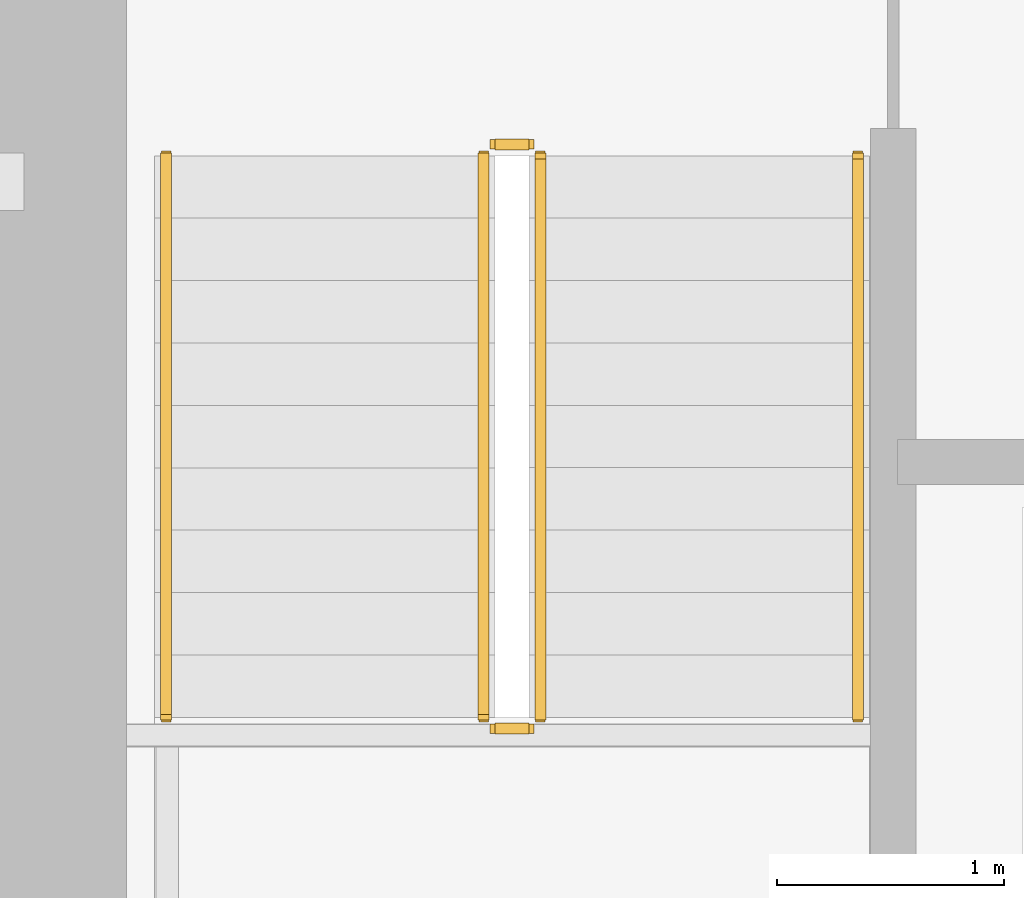
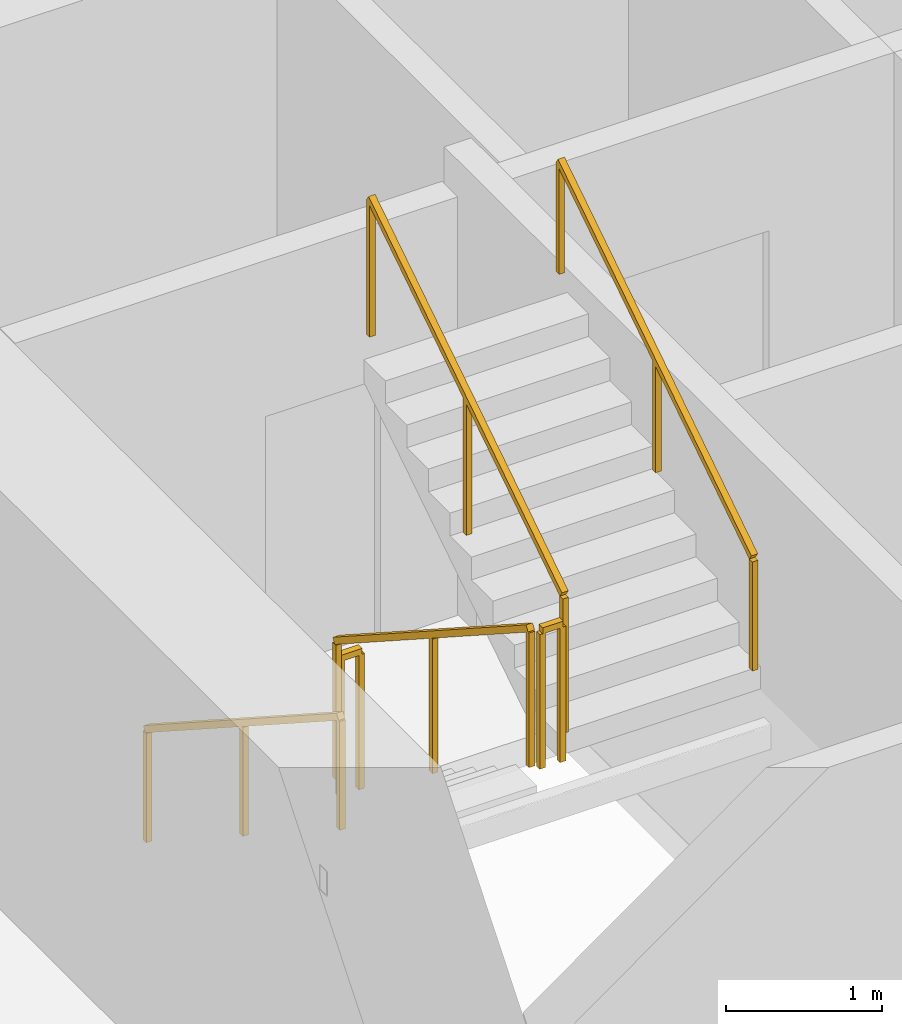
# One storey, part 10 of 12: 6 railings.
"""IFC4 building model written with IfcOpenShell, lengths in metres."""

from ifc_helpers import new_model, si_unit, direction, frame, origin, origin_2d, place, context, subcontext, project, spatial, rectangle, extrude, material, type_object, element, save


model = new_model("IFC4")

# Units and contexts
model_context = context("Model", 3, precision=1e-05, world=origin(), true_north=direction((0.0, 1.0)))
body_context = subcontext(model_context, "Body", "Model", "MODEL_VIEW")
ifc_project = project(units=[si_unit("LENGTHUNIT", "METRE"), si_unit("AREAUNIT", "SQUARE_METRE"), si_unit("VOLUMEUNIT", "CUBIC_METRE"), si_unit("PLANEANGLEUNIT", "RADIAN"), si_unit("MASSUNIT", "GRAM", prefix="KILO")], contexts=[model_context])

# Site, building, storey
site_placement = place(None, origin())
site = spatial("IfcSite", under=ifc_project, at=site_placement, CompositionType="ELEMENT")
building_placement = place(site_placement, origin())
building = spatial("IfcBuilding", under=site, at=building_placement, Name="Cinnabar Lancet Tower", CompositionType="ELEMENT")
storey_placement = place(building_placement, frame((0.0, 0.0, 71.050048828125)))
storey = spatial("IfcBuildingStorey", under=building, at=storey_placement, Name="L18", CompositionType="ELEMENT", Elevation=71.050048828125)

# Railings
ifc_material_1 = material(Name="Painted galvanized steel balustrade", Category="steel")
railing_type_1 = type_object("IfcRailingType", Name="GUARD-STAIR", PredefinedType="GUARDRAIL", material=ifc_material_1)
railing_1_placement = place(storey_placement, frame((24.97509765625, 28.39990234375, 0.177490234375)))
element("IfcRailing", 1, at=railing_1_placement, inside=storey, type_object=railing_type_1, Name="L18 ST-1 stair guard 1", PredefinedType="GUARDRAIL", context=body_context, shape_type="SweptSolid", body=[
    extrude(rectangle(XDim=0.048095703125, YDim=0.048095703125, at=origin_2d()), frame((0.0, 0.0, 1.076171875), z_axis=(0.0, -0.840183358697, 0.542302428327), x_axis=(1.0, 0.0, 0.0)), (0.0, 0.0, 1.0), 2.945556640625),
    extrude(rectangle(XDim=0.0419921875, YDim=0.0419921875, at=origin_2d()), origin(), (0.0, 0.0, 1.0), 1.052001953125),
    extrude(rectangle(XDim=0.0419921875, YDim=0.0419921875, at=origin_2d()), frame((0.0, -1.2373046875, 0.798828125)), (0.0, 0.0, 1.0), 1.052001953125),
    extrude(rectangle(XDim=0.0419921875, YDim=0.0419921875, at=origin_2d()), frame((0.0, -2.474853515625, 1.597412109375)), (0.0, 0.0, 1.0), 1.052001953125),
])
railing_2_placement = place(storey_placement, frame((25.02490234375, 25.875, 1.77490234375)))
element("IfcRailing", 2, at=railing_2_placement, inside=storey, type_object=railing_type_1, Name="L18 ST-1 stair guard 2", PredefinedType="GUARDRAIL", context=body_context, shape_type="SweptSolid", body=[
    extrude(rectangle(XDim=0.048095703125, YDim=0.048095703125, at=origin_2d()), frame((0.0, 0.0, 1.076171875), z_axis=(1.0, 0.0, 0.0), x_axis=(0.0, 1.0, 0.0)), (0.0, 0.0, 1.0), 0.150146484375),
    extrude(rectangle(XDim=0.0419921875, YDim=0.0419921875, at=origin_2d()), origin(), (0.0, 0.0, 1.0), 1.052001953125),
    extrude(rectangle(XDim=0.0419921875, YDim=0.0419921875, at=origin_2d()), frame((0.150146484375, 0.0, 0.0)), (0.0, 0.0, 1.0), 1.052001953125),
])
railing_3_placement = place(storey_placement, frame((25.22509765625, 25.925048828125, 1.952392578125)))
element("IfcRailing", 3, at=railing_3_placement, inside=storey, type_object=railing_type_1, Name="L18 ST-1 stair guard 3", PredefinedType="GUARDRAIL", context=body_context, shape_type="SweptSolid", body=[
    extrude(rectangle(XDim=0.048095703125, YDim=0.048095703125, at=origin_2d()), frame((0.0, 0.0, 1.076171875), z_axis=(0.0, 0.84014559416, 0.542360932049), x_axis=(-1.0, 0.0, 0.0)), (0.0, 0.0, 1.0), 2.94580078125),
    extrude(rectangle(XDim=0.0419921875, YDim=0.0419921875, at=origin_2d()), origin(), (0.0, 0.0, 1.0), 1.052001953125),
    extrude(rectangle(XDim=0.0419921875, YDim=0.0419921875, at=origin_2d()), frame((0.0, 1.2373046875, 0.798828125)), (0.0, 0.0, 1.0), 1.052001953125),
    extrude(rectangle(XDim=0.0419921875, YDim=0.0419921875, at=origin_2d()), frame((0.0, 2.474853515625, 1.59765625)), (0.0, 0.0, 1.0), 1.052001953125),
])
railing_4_placement = place(storey_placement, frame((25.02490234375, 28.449951171875, 0.0)))
element("IfcRailing", 4, at=railing_4_placement, inside=storey, type_object=railing_type_1, Name="L18 ST-1 stair guard 4", PredefinedType="GUARDRAIL", context=body_context, shape_type="SweptSolid", body=[
    extrude(rectangle(XDim=0.048095703125, YDim=0.048095703125, at=origin_2d()), frame((0.0, 0.0, 1.076171875), z_axis=(1.0, 0.0, 0.0), x_axis=(0.0, 1.0, 0.0)), (0.0, 0.0, 1.0), 0.150146484375),
    extrude(rectangle(XDim=0.0419921875, YDim=0.0419921875, at=origin_2d()), origin(), (0.0, 0.0, 1.0), 1.052001953125),
    extrude(rectangle(XDim=0.0419921875, YDim=0.0419921875, at=origin_2d()), frame((0.150146484375, 0.0, 0.0)), (0.0, 0.0, 1.0), 1.052001953125),
])
ifc_material_2 = material(Name="Brushed stainless steel handrail", Category="steel")
railing_type_2 = type_object("IfcRailingType", Name="HANDRAIL-STAIR", PredefinedType="HANDRAIL", material=ifc_material_2)
railing_5_placement = place(storey_placement, frame((23.574951171875, 28.39990234375, 0.177490234375)))
element("IfcRailing", 5, at=railing_5_placement, inside=storey, type_object=railing_type_2, Name="L18 ST-1 stair handrail 1", PredefinedType="HANDRAIL", context=body_context, shape_type="SweptSolid", body=[
    extrude(rectangle(XDim=0.048095703125, YDim=0.048095703125, at=origin_2d()), frame((0.0, 0.0, 0.8759765625), z_axis=(0.0, -0.840183358697, 0.542302428327), x_axis=(1.0, 0.0, 0.0)), (0.0, 0.0, 1.0), 2.945556640625),
    extrude(rectangle(XDim=0.0419921875, YDim=0.0419921875, at=origin_2d()), origin(), (0.0, 0.0, 1.0), 0.851806640625),
    extrude(rectangle(XDim=0.0419921875, YDim=0.0419921875, at=origin_2d()), frame((0.0, -1.2373046875, 0.798828125)), (0.0, 0.0, 1.0), 0.851806640625),
    extrude(rectangle(XDim=0.0419921875, YDim=0.0419921875, at=origin_2d()), frame((0.0, -2.474853515625, 1.597412109375)), (0.0, 0.0, 1.0), 0.851806640625),
])
railing_6_placement = place(storey_placement, frame((26.625, 25.925048828125, 1.952392578125)))
element("IfcRailing", 6, at=railing_6_placement, inside=storey, type_object=railing_type_2, Name="L18 ST-1 stair handrail 2", PredefinedType="HANDRAIL", context=body_context, shape_type="SweptSolid", body=[
    extrude(rectangle(XDim=0.048095703125, YDim=0.048095703125, at=origin_2d()), frame((0.0, 0.0, 0.8759765625), z_axis=(0.0, 0.84014559416, 0.542360932049), x_axis=(-1.0, 0.0, 0.0)), (0.0, 0.0, 1.0), 2.94580078125),
    extrude(rectangle(XDim=0.0419921875, YDim=0.0419921875, at=origin_2d()), origin(), (0.0, 0.0, 1.0), 0.851806640625),
    extrude(rectangle(XDim=0.0419921875, YDim=0.0419921875, at=origin_2d()), frame((0.0, 1.2373046875, 0.798828125)), (0.0, 0.0, 1.0), 0.851806640625),
    extrude(rectangle(XDim=0.0419921875, YDim=0.0419921875, at=origin_2d()), frame((0.0, 2.474853515625, 1.59765625)), (0.0, 0.0, 1.0), 0.851806640625),
])

save(model, "model.ifc")
